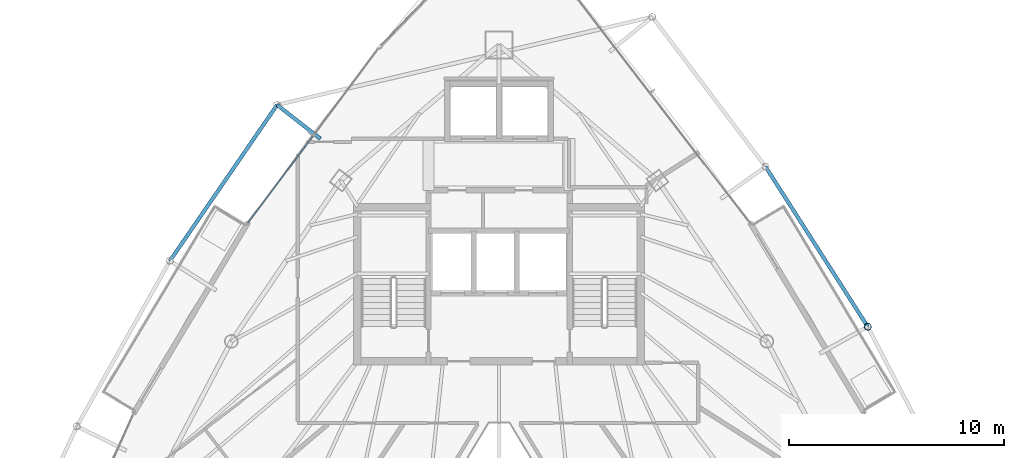
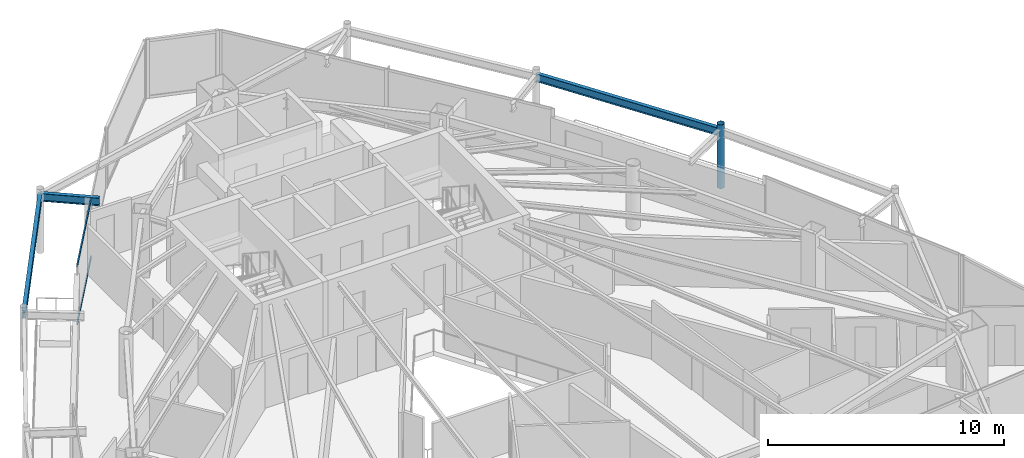
# One storey, part 22 of 33: 3 beams, 3 members, 1 element without a shape of its own.
"""IFC4 building model written with IfcOpenShell, lengths in metres."""

from ifc_helpers import new_model, si_unit, direction, frame, origin, origin_2d, place, context, subcontext, project, spatial, hollow_rectangle, hollow_circle, i_section, extrude, material, layer, layer_set, material_profile, profile_set, type_object, element, aggregate, save


model = new_model("IFC4")

# Units and contexts
model_context = context("Model", 3, precision=1e-05, world=origin(), true_north=direction((0.0, 1.0)))
body_context = subcontext(model_context, "Body", "Model", "MODEL_VIEW")
ifc_project = project(units=[si_unit("LENGTHUNIT", "METRE"), si_unit("AREAUNIT", "SQUARE_METRE"), si_unit("VOLUMEUNIT", "CUBIC_METRE"), si_unit("PLANEANGLEUNIT", "RADIAN"), si_unit("MASSUNIT", "GRAM", prefix="KILO")], contexts=[model_context])

# Site, building, storey
site_placement = place(None, origin())
site = spatial("IfcSite", under=ifc_project, at=site_placement, CompositionType="ELEMENT")
building_placement = place(site_placement, origin())
building = spatial("IfcBuilding", under=site, at=building_placement, Name="Orvanel Arch Residences", CompositionType="ELEMENT")
storey_placement = place(building_placement, frame((0.0, 0.0, 206.300048828125)))
storey = spatial("IfcBuildingStorey", under=building, at=storey_placement, Name="L58", CompositionType="ELEMENT", Elevation=206.300048828125)

# Beams
ifc_material_1 = material(Name="Structural steel AS/NZS 3679.1 Grade 300 (300 MPa)", Category="steel")
ifc_material_profile_1 = material_profile(ifc_material_1, i_section(OverallWidth=0.177978515625, OverallDepth=0.406005859375, WebThickness=0.0078125, FlangeThickness=0.0126953125, at=origin_2d()), Name="410UB59.7")
ifc_profile_set_1 = profile_set([ifc_material_profile_1], Name="Structural steel AS/NZS 3679.1 Grade 300 (300 MPa)")
beam_type = type_object("IfcBeamType", Name="OB-410UB-EXT", PredefinedType="SPANDREL", material=ifc_profile_set_1)
beam_1_placement = place(storey_placement, frame((24.705078125, 37.049072265625, 2.85693359375), z_axis=(-0.788635080154, 0.614861537544, 0.0), x_axis=(-0.614861537544, -0.788635080154, 0.0)))
element("IfcBeam", 1, at=beam_1_placement, inside=storey, type_object=beam_type, Name="L58 Outer Frame Radial Tie Beam 01", PredefinedType="SPANDREL", context=body_context, shape_type="SweptSolid", body=[
    extrude(i_section(OverallWidth=0.177978515625, OverallDepth=0.406005859375, WebThickness=0.0078125, FlangeThickness=0.0126953125, at=origin_2d()), origin(), (0.0, 0.0, 1.0), 2.550048828125),
])
beam_2_placement = place(storey_placement, frame((22.694091796875, 38.616943359375, 2.85693359375), z_axis=(-0.566488701146, -0.824069506458, 0.0), x_axis=(0.824069506458, -0.566488701146, 0.0)))
element("IfcBeam", 2, at=beam_2_placement, inside=storey, type_object=beam_type, Name="L58 Outer Perimeter Floor Ring Beam 01", PredefinedType="SPANDREL", context=body_context, shape_type="SweptSolid", body=[
    extrude(i_section(OverallWidth=0.177978515625, OverallDepth=0.406005859375, WebThickness=0.0078125, FlangeThickness=0.0126953125, at=origin_2d()), origin(), (0.0, 0.0, 1.0), 8.780517578125),
])
beam_3_placement = place(storey_placement, frame((50.114990234375, 28.322021484375, 2.85693359375), z_axis=(-0.538374527033, 0.842705683286, 0.0), x_axis=(-0.842705683286, -0.538374527033, 0.0)))
element("IfcBeam", 3, at=beam_3_placement, inside=storey, type_object=beam_type, Name="L58 Outer Perimeter Floor Ring Beam 10", PredefinedType="SPANDREL", context=body_context, shape_type="SweptSolid", body=[
    extrude(i_section(OverallWidth=0.177978515625, OverallDepth=0.406005859375, WebThickness=0.0078125, FlangeThickness=0.0126953125, at=origin_2d()), origin(), (0.0, 0.0, 1.0), 8.815673828125),
])

# Member
ifc_material_2 = material(Name="Structural steel AS/NZS 1163 C350L0 (Grade 350)", Category="steel")
ifc_material_profile_2 = material_profile(ifc_material_2, hollow_circle(Radius=0.162109375, WallThickness=0.0126953125, at=origin_2d()), Name="CHS324x12.7")
ifc_profile_set_2 = profile_set([ifc_material_profile_2], Name="Structural steel AS/NZS 1163 C350L0 (Grade 350)")
member_type_1 = type_object("IfcMemberType", Name="ST-324CHS-EXT", PredefinedType="STRUT", material=ifc_profile_set_2)
member_1_placement = place(storey_placement, frame((50.114990234375, 28.322021484375, 0.0), z_axis=(0.0, 0.0, 1.0), x_axis=(1.0, 0.0, 0.0)))
element("IfcMember", 4, at=member_1_placement, inside=storey, type_object=member_type_1, Name="L58 Outer Perimeter Frame Post 10", PredefinedType="STRUT", context=body_context, shape_type="SweptSolid", body=[
    extrude(hollow_circle(Radius=0.162109375, WallThickness=0.0126953125, at=origin_2d()), origin(), (0.0, 0.0, 1.0), 3.300048828125),
])

# Curtain wall, members
ifc_material_3 = material(Name="Bronze-anodised aluminium AA6063-T6", Category="aluminium")
ifc_layer = layer(ifc_material_3, 0.175048828125)
ifc_layer_set = layer_set([ifc_layer], Name="Bronze-anodised aluminium AA6063-T6")
curtain_wall_type = type_object("IfcCurtainWallType", Name="CW4-HI-SYS", PredefinedType="NOTDEFINED", material=ifc_layer_set)
curtain_wall_placement = place(storey_placement, origin())
curtain_wall = element("IfcCurtainWall", 5, at=curtain_wall_placement, inside=storey, type_object=curtain_wall_type, Name="L58 CW4-HI-SYS Unitised Curtain Wall", PredefinedType="NOTDEFINED")
ifc_material_profile_3 = material_profile(ifc_material_3, hollow_rectangle(XDim=0.06005859375, YDim=0.1201171875, WallThickness=0.00341796875, at=origin_2d()), Name="ALU120x60x3.5")
ifc_profile_set_3 = profile_set([ifc_material_profile_3], Name="Bronze-anodised aluminium AA6063-T6")
member_type_2 = type_object("IfcMemberType", Name="TRN-120x60", PredefinedType="USERDEFINED", material=ifc_profile_set_3)
member_2_placement = place(storey_placement, frame((24.34814453125, 37.154052734375, 0.030029296875), z_axis=(-0.599155454717, -0.800632712973, 0.0), x_axis=(0.800632712973, -0.599155454717, 0.0)))
member_2 = element("IfcMember", 6, at=member_2_placement, type_object=member_type_2, Name="CW-S4 transom 2.1", ObjectType="TRANSOM", PredefinedType="USERDEFINED", context=body_context, shape_type="SweptSolid", body=[
    extrude(hollow_rectangle(XDim=0.06005859375, YDim=0.1201171875, WallThickness=0.00341796875, at=origin_2d()), origin(), (0.0, 0.0, 1.0), 4.997314453125),
])
member_3_placement = place(storey_placement, frame((24.34814453125, 37.154052734375, 3.030029296875), z_axis=(-0.599155454717, -0.800632712973, 0.0), x_axis=(0.800632712973, -0.599155454717, 0.0)))
member_3 = element("IfcMember", 7, at=member_3_placement, type_object=member_type_2, Name="CW-S4 transom 2.2", ObjectType="TRANSOM", PredefinedType="USERDEFINED", context=body_context, shape_type="SweptSolid", body=[
    extrude(hollow_rectangle(XDim=0.06005859375, YDim=0.1201171875, WallThickness=0.00341796875, at=origin_2d()), origin(), (0.0, 0.0, 1.0), 4.997314453125),
])
aggregate(curtain_wall, [member_2, member_3])

save(model, "model.ifc")
